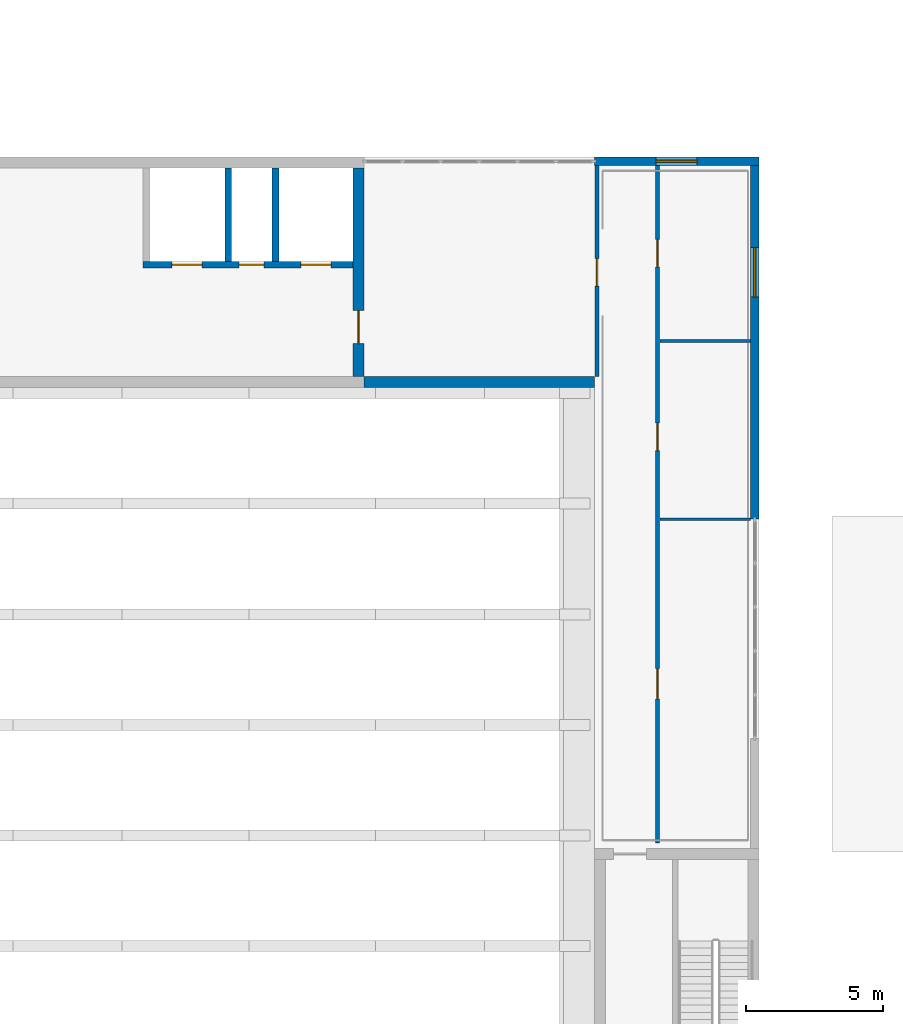
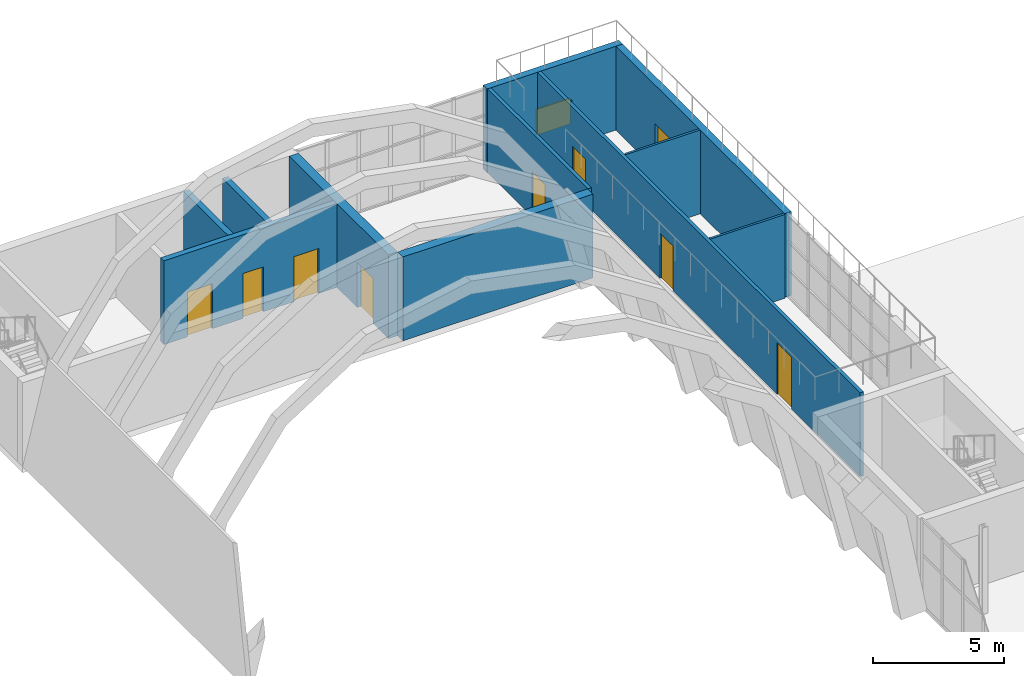
# One storey, part 72 of 96: 11 walls, 8 doors, 2 windows, 10 openings.
"""IFC4 building model written with IfcOpenShell, lengths in metres."""

import ifcopenshell
import ifcopenshell.guid

model = None  # the IFC model being written
_history = None  # IfcOwnerHistory: only IFC2X3 demands one
_inside = {}  # id of a spatial element -> (the spatial element, [elements in it])
_under = {}  # id of a project, library or spatial element -> (it, [spatial elements below it])
_declared = {}  # id of a project -> (the project, [libraries it declares])
_typed = {}  # id of a type object -> (the type object, [elements of that type])
_made_of = {}  # id of a material, layer set ... -> (it, [elements and type objects made of it])


def new_model(schema):
    """Start an empty IFC model of exactly this schema.

    Asked for "IFC4X3", IfcOpenShell would pick the latest addendum, in which some entities
    have other attributes; the version numbers below select the first issue.
    IFC2X3 requires an IfcOwnerHistory on every rooted entity: one is made here for all.
    """
    global model, _history
    if schema == "IFC4X3":
        model = ifcopenshell.file(schema_version=(4, 3, 0, 0))
    else:
        model = ifcopenshell.file(schema=schema)
    _inside.clear()
    _under.clear()
    _declared.clear()
    _typed.clear()
    _made_of.clear()
    _history = None
    if model.schema == "IFC2X3":
        org = make("IfcOrganization", Name="unknown")
        user = make(
            "IfcPersonAndOrganization",
            ThePerson=make("IfcPerson", FamilyName="unknown"),
            TheOrganization=org,
        )
        app = make(
            "IfcApplication",
            ApplicationDeveloper=org,
            Version="unknown",
            ApplicationFullName="unknown",
            ApplicationIdentifier="unknown",
        )
        _history = make(
            "IfcOwnerHistory",
            OwningUser=user,
            OwningApplication=app,
            ChangeAction="ADDED",
            CreationDate=0,
        )
    return model


def make(cls, **values):
    """One entity of the class cls with the attributes given. An attribute that is None is left unset."""
    return model.create_entity(
        cls, **{name: value for name, value in values.items() if value is not None}
    )


def rooted(cls, **values):
    """An entity with a GlobalId (a new one), such as an element, a storey or a relation."""
    return make(cls, GlobalId=ifcopenshell.guid.new(), OwnerHistory=_history, **values)


def si_unit(unit_type, name, prefix=None):
    """IfcSIUnit, for example si_unit("LENGTHUNIT", "METRE", prefix="MILLI")."""
    return make("IfcSIUnit", UnitType=unit_type, Prefix=prefix, Name=name)


def assignment(units):
    """IfcUnitAssignment: the units of a project."""
    return None if units is None else make("IfcUnitAssignment", Units=units)


def point(xyz):
    """IfcCartesianPoint."""
    return None if xyz is None else make("IfcCartesianPoint", Coordinates=xyz)


def direction(xyz):
    """IfcDirection."""
    return None if xyz is None else make("IfcDirection", DirectionRatios=xyz)


def frame(location, z_axis=None, x_axis=None):
    """IfcAxis2Placement3D, a coordinate frame: its origin and axes. An axis left out is left unset."""
    return make(
        "IfcAxis2Placement3D",
        Location=point(location),
        Axis=direction(z_axis),
        RefDirection=direction(x_axis),
    )


def frame_2d(location, x_axis=None):
    """IfcAxis2Placement2D, a coordinate frame in the plane: its origin and x axis."""
    return make(
        "IfcAxis2Placement2D", Location=point(location), RefDirection=direction(x_axis)
    )


def origin():
    """The frame at (0, 0, 0) with its axes left unset."""
    return frame((0.0, 0.0, 0.0))


def place(relative_to, where):
    """IfcLocalPlacement: puts the frame where relative to a parent placement (None: the world)."""
    return make(
        "IfcLocalPlacement", PlacementRelTo=relative_to, RelativePlacement=where
    )


def context(
    kind, dimensions, precision=None, world=None, true_north=None, identifier=None
):
    """IfcGeometricRepresentationContext, for example the 3D "Model" context."""
    return make(
        "IfcGeometricRepresentationContext",
        ContextIdentifier=identifier,
        ContextType=kind,
        CoordinateSpaceDimension=dimensions,
        Precision=precision,
        WorldCoordinateSystem=world,
        TrueNorth=true_north,
    )


def subcontext(parent, identifier, kind, view, scale=None):
    """IfcGeometricRepresentationSubContext, for example "Body" below "Model"."""
    return make(
        "IfcGeometricRepresentationSubContext",
        ContextIdentifier=identifier,
        ContextType=kind,
        ParentContext=parent,
        TargetScale=scale,
        TargetView=view,
    )


def project(units=None, contexts=None):
    """IfcProject with its units and contexts."""
    return rooted(
        "IfcProject",
        Name="project",
        RepresentationContexts=contexts,
        UnitsInContext=assignment(units),
    )


def spatial(cls, under=None, at=None, **own):
    """A site, building, storey or space (cls), placed at a placement, below another one or the project."""
    s = rooted(cls, ObjectPlacement=at, **own)
    if under is not None:
        _under.setdefault(under.id(), (under, []))[1].append(s)
    return s


def profile(cls, at=None, kind="AREA", **sizes):
    """A parametric profile (cls). Its sizes go by their IFC names, for example OverallWidth=200.0."""
    return make(cls, ProfileType=kind, Position=at, **sizes)


def rectangle(**sizes):
    """IfcRectangleProfileDef."""
    return profile("IfcRectangleProfileDef", **sizes)


def extrude(swept, where, along, depth):
    """IfcExtrudedAreaSolid: the profile swept, set in the frame where, extruded along a direction by depth."""
    return make(
        "IfcExtrudedAreaSolid",
        SweptArea=swept,
        Position=where,
        ExtrudedDirection=direction(along),
        Depth=depth,
    )


def shape(context_of_items, identifier, shape_type, items):
    """IfcShapeRepresentation: the items that make up one representation, for example the "Body"."""
    return make(
        "IfcShapeRepresentation",
        ContextOfItems=context_of_items,
        RepresentationIdentifier=identifier,
        RepresentationType=shape_type,
        Items=items,
    )


def material(Name=None, Category=None):
    """IfcMaterial."""
    return make("IfcMaterial", Name=Name, Category=Category)


def layer(
    of_material, thickness, ventilated=None, Name=None, Category=None, Priority=None
):
    """IfcMaterialLayer: one layer of a wall or slab, of a material (None: an air gap)."""
    return make(
        "IfcMaterialLayer",
        Material=of_material,
        LayerThickness=thickness,
        IsVentilated=ventilated,
        Name=Name,
        Category=Category,
        Priority=Priority,
    )


def layer_set(layers, Name=None):
    """IfcMaterialLayerSet."""
    return make("IfcMaterialLayerSet", MaterialLayers=layers, LayerSetName=Name)


def made_of(thing, what):
    """Note that an element or type object is made of a material, layer set ...; save() writes the relation."""
    if what is not None:
        _made_of.setdefault(what.id(), (what, []))[1].append(thing)
    return thing


def type_object(cls, material=None, **own):
    """A type object (cls), such as IfcWallType, which elements share."""
    return made_of(rooted(cls, **own), material)


def element(
    cls,
    number,
    at=None,
    inside=None,
    cuts=None,
    type_object=None,
    material=None,
    context=None,
    identifier="Body",
    shape_type=None,
    held_by="IfcProductDefinitionShape",
    body=None,
    shapes=None,
    **own,
):
    """One element of the class cls, such as IfcWall. Its Tag is "e" and its number.

    at: its placement. inside: the storey or other place that contains it. cuts: it is an
    opening in that element (IfcRelVoidsElement). A single representation is given by context,
    identifier, shape_type and body (its items); several are given by shapes. held_by: the class
    of the entity that holds the representations. save() writes the other relations.
    """
    e = rooted(cls, Tag="e%d" % number, ObjectPlacement=at, **own)
    if body is not None:
        shapes = [shape(context, identifier, shape_type, body)]
    if shapes is not None:
        e.Representation = make(held_by, Representations=shapes)
    if inside is not None:
        _inside.setdefault(inside.id(), (inside, []))[1].append(e)
    if cuts is not None:
        rooted(
            "IfcRelVoidsElement", RelatingBuildingElement=cuts, RelatedOpeningElement=e
        )
    if type_object is not None:
        _typed.setdefault(type_object.id(), (type_object, []))[1].append(e)
    return made_of(e, material)


def fill(opening, filler):
    """IfcRelFillsElement: the door or window that sits in an opening."""
    return rooted(
        "IfcRelFillsElement",
        RelatingOpeningElement=opening,
        RelatedBuildingElement=filler,
    )


def aggregate(whole, parts):
    """IfcRelAggregates: a whole, such as a stair, and the parts it consists of."""
    return rooted("IfcRelAggregates", RelatingObject=whole, RelatedObjects=parts)


def save(model, path):
    """Write the relations noted so far, then the file.

    IfcRelAggregates (storeys below a building ...), IfcRelContainedInSpatialStructure (elements
    in a storey), IfcRelDefinesByType, IfcRelAssociatesMaterial and IfcRelDeclares: one each for
    every whole, place, type object, material and project.
    """
    for whole, parts in _under.values():
        aggregate(whole, parts)
    for where, things in _inside.values():
        rooted(
            "IfcRelContainedInSpatialStructure",
            RelatedElements=things,
            RelatingStructure=where,
        )
    for kind, things in _typed.values():
        rooted("IfcRelDefinesByType", RelatedObjects=things, RelatingType=kind)
    for what, things in _made_of.values():
        rooted("IfcRelAssociatesMaterial", RelatedObjects=things, RelatingMaterial=what)
    for by, libraries in _declared.values():
        rooted("IfcRelDeclares", RelatingContext=by, RelatedDefinitions=libraries)
    model.write(path)


model = new_model("IFC4")

# Units and contexts
model_context = context("Model", 3, precision=1e-05, world=origin(), true_north=direction((0.0, 1.0)))
body_context = subcontext(model_context, "Body", "Model", "MODEL_VIEW")
ifc_project = project(units=[si_unit("LENGTHUNIT", "METRE"), si_unit("AREAUNIT", "SQUARE_METRE"), si_unit("VOLUMEUNIT", "CUBIC_METRE"), si_unit("PLANEANGLEUNIT", "RADIAN"), si_unit("MASSUNIT", "GRAM", prefix="KILO")], contexts=[model_context])

# Site, building, storey
site_placement = place(None, origin())
site = spatial("IfcSite", under=ifc_project, at=site_placement, CompositionType="ELEMENT")
building_placement = place(site_placement, origin())
building = spatial("IfcBuilding", under=site, at=building_placement, Name="Cresset Court Congress Hotel", CompositionType="ELEMENT")
storey_placement = place(building_placement, frame((0.0, 0.0, 6.0)))
storey = spatial("IfcBuildingStorey", under=building, at=storey_placement, Name="L01", CompositionType="ELEMENT", Elevation=6.0)

# Wall, openings, doors
ifc_material_1 = material(Name="Gypsum board on steel studs", Category="steel")
ifc_layer_1 = layer(ifc_material_1, 0.14990234375)
ifc_layer_set_1 = layer_set([ifc_layer_1], Name="Fire partition 150")
wall_type_1 = type_object("IfcWallType", Name="Fire partition 150", PredefinedType="PARTITIONING", material=ifc_layer_set_1)
wall_1_placement = place(storey_placement, frame((153.5, 84.199951171875, 0.0), z_axis=(0.0, 0.0, 1.0), x_axis=(0.0, 1.0, 0.0)))
wall_1 = element("IfcWall", 1, at=wall_1_placement, inside=storey, type_object=wall_type_1, Name="Corridor wall", PredefinedType="PARTITIONING", context=body_context, shape_type="SweptSolid", body=[
    extrude(rectangle(XDim=24.699951171875, YDim=0.14990234375, at=frame_2d((12.35009765625, 0.0))), origin(), (0.0, 0.0, 1.0), 3.919921875),
])
opening_1_placement = place(wall_1_placement, frame((5.25, 0.0, 0.0)))
opening_1 = element("IfcOpeningElement", 2, at=opening_1_placement, cuts=wall_1, Name="Opening DE-01-10", PredefinedType="OPENING", context=body_context, shape_type="SweptSolid", body=[
    extrude(rectangle(XDim=1.10009765625, YDim=2.39990234375, at=frame_2d((0.550048828125, 1.199951171875))), frame((0.0, 0.0849609375, 0.0), z_axis=(0.0, -1.0, 0.0), x_axis=(1.0, 0.0, 0.0)), (0.0, 0.0, 1.0), 0.169921875),
])
opening_2_placement = place(wall_1_placement, frame((14.300048828125, 0.0, 0.0)))
opening_2 = element("IfcOpeningElement", 3, at=opening_2_placement, cuts=wall_1, Name="Opening DE-01-11", PredefinedType="OPENING", context=body_context, shape_type="SweptSolid", body=[
    extrude(rectangle(XDim=1.0, YDim=2.10009765625, at=frame_2d((0.5, 1.050048828125))), frame((0.0, 0.0849609375, 0.0), z_axis=(0.0, -1.0, 0.0), x_axis=(1.0, 0.0, 0.0)), (0.0, 0.0, 1.0), 0.169921875),
])
opening_3_placement = place(wall_1_placement, frame((21.0, 0.0, 0.0)))
opening_3 = element("IfcOpeningElement", 4, at=opening_3_placement, cuts=wall_1, Name="Opening DE-01-12", PredefinedType="OPENING", context=body_context, shape_type="SweptSolid", body=[
    extrude(rectangle(XDim=1.0, YDim=2.10009765625, at=frame_2d((0.5, 1.050048828125))), frame((0.0, 0.0849609375, 0.0), z_axis=(0.0, -1.0, 0.0), x_axis=(1.0, 0.0, 0.0)), (0.0, 0.0, 1.0), 0.169921875),
])
ifc_material_2 = material(Name="Timber door leaf", Category="wood")
door_type_1 = type_object("IfcDoorType", Name="Room door 1000x2100", OperationType="SINGLE_SWING_LEFT", PredefinedType="DOOR", material=ifc_material_2)
door_1_placement = place(opening_2_placement, origin())
door_1 = element("IfcDoor", 5, at=door_1_placement, inside=storey, type_object=door_type_1, Name="Room door DE-01-11", OperationType="SINGLE_SWING_LEFT", OverallHeight=2.10009765625, OverallWidth=1.0, PredefinedType="DOOR", context=body_context, shape_type="SweptSolid", body=[
    extrude(rectangle(XDim=1.0, YDim=2.10009765625, at=frame_2d((0.5, 1.050048828125))), frame((0.0, 0.02490234375, 0.0), z_axis=(0.0, -1.0, 0.0), x_axis=(1.0, 0.0, 0.0)), (0.0, 0.0, 1.0), 0.050048828125),
])
fill(opening_2, door_1)
door_2_placement = place(opening_3_placement, origin())
door_2 = element("IfcDoor", 6, at=door_2_placement, inside=storey, type_object=door_type_1, Name="Room door DE-01-12", OperationType="SINGLE_SWING_LEFT", OverallHeight=2.10009765625, OverallWidth=1.0, PredefinedType="DOOR", context=body_context, shape_type="SweptSolid", body=[
    extrude(rectangle(XDim=1.0, YDim=2.10009765625, at=frame_2d((0.5, 1.050048828125))), frame((0.0, 0.02490234375, 0.0), z_axis=(0.0, -1.0, 0.0), x_axis=(1.0, 0.0, 0.0)), (0.0, 0.0, 1.0), 0.050048828125),
])
fill(opening_3, door_2)
ifc_material_3 = material(Name="Glass door leaf in aluminium frame", Category="aluminium")
door_type_2 = type_object("IfcDoorType", Name="Spa glazed door 1100x2400", OperationType="SINGLE_SWING_LEFT", PredefinedType="DOOR", material=ifc_material_3)
door_3_placement = place(opening_1_placement, origin())
door_3 = element("IfcDoor", 7, at=door_3_placement, inside=storey, type_object=door_type_2, Name="Spa glazed door DE-01-10", OperationType="SINGLE_SWING_LEFT", OverallHeight=2.39990234375, OverallWidth=1.10009765625, PredefinedType="DOOR", context=body_context, shape_type="SweptSolid", body=[
    extrude(rectangle(XDim=1.10009765625, YDim=2.39990234375, at=frame_2d((0.550048828125, 1.199951171875))), frame((0.0, 0.02490234375, 0.0), z_axis=(0.0, -1.0, 0.0), x_axis=(1.0, 0.0, 0.0)), (0.0, 0.0, 1.0), 0.050048828125),
])
fill(opening_1, door_3)

# Wall, opening, door
wall_2_placement = place(storey_placement, frame((151.300048828125, 101.199951171875, 0.0), z_axis=(0.0, 0.0, 1.0), x_axis=(0.0, 1.0, 0.0)))
wall_2 = element("IfcWall", 8, at=wall_2_placement, inside=storey, type_object=wall_type_1, Name="Lounge east wall", PredefinedType="PARTITIONING", context=body_context, shape_type="SweptSolid", body=[
    extrude(rectangle(XDim=7.699951171875, YDim=0.14990234375, at=frame_2d((3.85009765625, 0.0))), origin(), (0.0, 0.0, 1.0), 3.919921875),
])
opening_4_placement = place(wall_2_placement, frame((3.300048828125, 0.0, 0.0)))
opening_4 = element("IfcOpeningElement", 9, at=opening_4_placement, cuts=wall_2, Name="Opening DE-01-09", PredefinedType="OPENING", context=body_context, shape_type="SweptSolid", body=[
    extrude(rectangle(XDim=1.0, YDim=2.10009765625, at=frame_2d((0.5, 1.050048828125))), frame((0.0, 0.0849609375, 0.0), z_axis=(0.0, -1.0, 0.0), x_axis=(1.0, 0.0, 0.0)), (0.0, 0.0, 1.0), 0.169921875),
])
door_4_placement = place(opening_4_placement, origin())
door_4 = element("IfcDoor", 10, at=door_4_placement, inside=storey, type_object=door_type_1, Name="Room door DE-01-09", OperationType="SINGLE_SWING_LEFT", OverallHeight=2.10009765625, OverallWidth=1.0, PredefinedType="DOOR", context=body_context, shape_type="SweptSolid", body=[
    extrude(rectangle(XDim=1.0, YDim=2.10009765625, at=frame_2d((0.5, 1.050048828125))), frame((0.0, 0.02490234375, 0.0), z_axis=(0.0, -1.0, 0.0), x_axis=(1.0, 0.0, 0.0)), (0.0, 0.0, 1.0), 0.050048828125),
])
fill(opening_4, door_4)

# Walls
ifc_material_4 = material(Name="Gypsum board on steel studs", Category="steel")
ifc_layer_2 = layer(ifc_material_4, 0.10009765625)
ifc_layer_set_2 = layer_set([ifc_layer_2], Name="Partition 100")
wall_type_2 = type_object("IfcWallType", Name="Partition 100", PredefinedType="PARTITIONING", material=ifc_layer_set_2)
for number, where, z_axis, x_axis, name in (
    (11, (153.60009765625, 96.0, 0.0), (0.0, 0.0, 1.0), (1.0, 0.0, 0.0), "Partition 96"),
    (12, (153.60009765625, 102.5, 0.0), (0.0, 0.0, 1.0), (1.0, 0.0, 0.0), "Partition 102.5"),
):
    element("IfcWall", number, at=place(storey_placement, frame(where, z_axis=z_axis, x_axis=x_axis)), inside=storey, type_object=wall_type_2, Name=name, PredefinedType="PARTITIONING", context=body_context, shape_type="SweptSolid", body=[
        extrude(rectangle(XDim=3.2998046875, YDim=0.10009765625, at=frame_2d((1.64990234375, 0.0))), origin(), (0.0, 0.0, 1.0), 3.919921875),
    ])

# Wall, opening, door
ifc_material_5 = material(Name="Concrete C50", Category="concrete")
ifc_layer_3 = layer(ifc_material_5, 0.39990234375)
ifc_layer_set_3 = layer_set([ifc_layer_3], Name="RC core wall 400 C50")
wall_type_3 = type_object("IfcWallType", Name="RC core wall 400 C50", PredefinedType="SOLIDWALL", material=ifc_layer_set_3)
wall_3_placement = place(storey_placement, frame((142.60009765625, 101.199951171875, 0.0), z_axis=(0.0, 0.0, 1.0), x_axis=(0.0, 1.0, 0.0)))
wall_3 = element("IfcWall", 13, at=wall_3_placement, inside=storey, type_object=wall_type_3, Name="Core east wall", PredefinedType="SOLIDWALL", context=body_context, shape_type="SweptSolid", body=[
    extrude(rectangle(XDim=7.60009765625, YDim=0.39990234375, at=frame_2d((3.800048828125, 0.0))), origin(), (0.0, 0.0, 1.0), 3.919921875),
])
opening_5_placement = place(wall_3_placement, frame((1.199951171875, 0.0, 0.0)))
opening_5 = element("IfcOpeningElement", 14, at=opening_5_placement, cuts=wall_3, Name="Opening DE-01-08", PredefinedType="OPENING", context=body_context, shape_type="SweptSolid", body=[
    extrude(rectangle(XDim=1.199951171875, YDim=2.10009765625, at=frame_2d((0.60009765625, 1.050048828125))), frame((0.0, 0.2099609375, 0.0), z_axis=(0.0, -1.0, 0.0), x_axis=(1.0, 0.0, 0.0)), (0.0, 0.0, 1.0), 0.419921875),
])
ifc_material_6 = material(Name="Timber door leaf", Category="wood")
door_type_3 = type_object("IfcDoorType", Name="Lift lobby door 1200x2100", OperationType="SINGLE_SWING_LEFT", PredefinedType="DOOR", material=ifc_material_6)
door_5_placement = place(opening_5_placement, origin())
door_5 = element("IfcDoor", 15, at=door_5_placement, inside=storey, type_object=door_type_3, Name="Lift lobby door DE-01-08", OperationType="SINGLE_SWING_LEFT", OverallHeight=2.10009765625, OverallWidth=1.199951171875, PredefinedType="DOOR", context=body_context, shape_type="SweptSolid", body=[
    extrude(rectangle(XDim=1.199951171875, YDim=2.10009765625, at=frame_2d((0.60009765625, 1.050048828125))), frame((0.0, 0.02490234375, 0.0), z_axis=(0.0, -1.0, 0.0), x_axis=(1.0, 0.0, 0.0)), (0.0, 0.0, 1.0), 0.050048828125),
])
fill(opening_5, door_5)

# Wall, opening, window
ifc_material_7 = material(Name="Concrete C40", Category="concrete")
ifc_layer_4 = layer(ifc_material_7, 0.300048828125)
ifc_layer_set_4 = layer_set([ifc_layer_4], Name="RC external wall 300 C40")
wall_type_4 = type_object("IfcWallType", Name="RC external wall 300 C40", PredefinedType="SOLIDWALL", material=ifc_layer_set_4)
wall_4_placement = place(storey_placement, frame((157.050048828125, 96.0, 0.0), z_axis=(0.0, 0.0, 1.0), x_axis=(0.0, 1.0, 0.0)))
wall_4 = element("IfcWall", 16, at=wall_4_placement, inside=storey, type_object=wall_type_4, Name="East external wall L01 north", PredefinedType="SOLIDWALL", context=body_context, shape_type="SweptSolid", body=[
    extrude(rectangle(XDim=12.89990234375, YDim=0.300048828125, at=frame_2d((6.449951171875, 0.0))), origin(), (0.0, 0.0, 1.0), 3.919921875),
])
opening_6_placement = place(wall_4_placement, frame((8.10009765625, 0.0, 0.89990234375)))
opening_6 = element("IfcOpeningElement", 17, at=opening_6_placement, cuts=wall_4, Name="Opening NE-01-01", PredefinedType="OPENING", context=body_context, shape_type="SweptSolid", body=[
    extrude(rectangle(XDim=1.800048828125, YDim=1.199951171875, at=frame_2d((0.89990234375, 0.60009765625))), frame((0.0, 0.159912109375, 0.0), z_axis=(0.0, -1.0, 0.0), x_axis=(1.0, 0.0, 0.0)), (0.0, 0.0, 1.0), 0.320068359375),
])
ifc_material_8 = material(Name="Aluminium frame with insulated glass", Category="aluminium")
window_type_1 = type_object("IfcWindowType", Name="Window 1800x1200", PartitioningType="SINGLE_PANEL", PredefinedType="WINDOW", material=ifc_material_8)
window_1_placement = place(opening_6_placement, origin())
window_1 = element("IfcWindow", 18, at=window_1_placement, inside=storey, type_object=window_type_1, Name="Window NE-01-01", OverallHeight=1.199951171875, OverallWidth=1.800048828125, PartitioningType="SINGLE_PANEL", PredefinedType="WINDOW", context=body_context, shape_type="SweptSolid", body=[
    extrude(rectangle(XDim=1.800048828125, YDim=1.199951171875, at=frame_2d((0.89990234375, 0.60009765625))), frame((0.0, 0.030029296875, 0.0), z_axis=(0.0, -1.0, 0.0), x_axis=(1.0, 0.0, 0.0)), (0.0, 0.0, 1.0), 0.06005859375),
])
fill(opening_6, window_1)

wall_5_placement = place(storey_placement, frame((151.199951171875, 109.050048828125, 0.0), z_axis=(0.0, 0.0, 1.0), x_axis=(1.0, 0.0, 0.0)))
wall_5 = element("IfcWall", 19, at=wall_5_placement, inside=storey, type_object=wall_type_4, Name="East wing north wall L01", PredefinedType="SOLIDWALL", context=body_context, shape_type="SweptSolid", body=[
    extrude(rectangle(XDim=6.0, YDim=0.300048828125, at=frame_2d((3.0, 0.0))), origin(), (0.0, 0.0, 1.0), 3.919921875),
])
opening_7_placement = place(wall_5_placement, frame((2.25, 0.0, 0.89990234375)))
opening_7 = element("IfcOpeningElement", 20, at=opening_7_placement, cuts=wall_5, Name="Opening NE-01-02", PredefinedType="OPENING", context=body_context, shape_type="SweptSolid", body=[
    extrude(rectangle(XDim=1.5, YDim=1.199951171875, at=frame_2d((0.75, 0.60009765625))), frame((0.0, 0.159912109375, 0.0), z_axis=(0.0, -1.0, 0.0), x_axis=(1.0, 0.0, 0.0)), (0.0, 0.0, 1.0), 0.320068359375),
])
ifc_material_9 = material(Name="Aluminium frame with insulated glass", Category="aluminium")
window_type_2 = type_object("IfcWindowType", Name="Window 1500x1200", PartitioningType="SINGLE_PANEL", PredefinedType="WINDOW", material=ifc_material_9)
window_2_placement = place(opening_7_placement, origin())
window_2 = element("IfcWindow", 21, at=window_2_placement, inside=storey, type_object=window_type_2, Name="Window NE-01-02", OverallHeight=1.199951171875, OverallWidth=1.5, PartitioningType="SINGLE_PANEL", PredefinedType="WINDOW", context=body_context, shape_type="SweptSolid", body=[
    extrude(rectangle(XDim=1.5, YDim=1.199951171875, at=frame_2d((0.75, 0.60009765625))), frame((0.0, 0.030029296875, 0.0), z_axis=(0.0, -1.0, 0.0), x_axis=(1.0, 0.0, 0.0)), (0.0, 0.0, 1.0), 0.06005859375),
])
fill(opening_7, window_2)

# Wall
ifc_material_10 = material(Name="Concrete C40", Category="concrete")
ifc_layer_5 = layer(ifc_material_10, 0.39990234375)
ifc_layer_set_5 = layer_set([ifc_layer_5], Name="RC gable wall 400 C40")
wall_type_5 = type_object("IfcWallType", Name="RC gable wall 400 C40", PredefinedType="SOLIDWALL", material=ifc_layer_set_5)
wall_6_placement = place(storey_placement, frame((142.800048828125, 101.0, 0.0), z_axis=(0.0, 0.0, 1.0), x_axis=(1.0, 0.0, 0.0)))
element("IfcWall", 22, at=wall_6_placement, inside=storey, type_object=wall_type_5, Name="Lounge south wall L01", PredefinedType="SOLIDWALL", context=body_context, shape_type="SweptSolid", body=[
    extrude(rectangle(XDim=8.39990234375, YDim=0.39990234375, at=frame_2d((4.199951171875, 0.0))), origin(), (0.0, 0.0, 1.0), 3.919921875),
])

# Wall, openings, doors
ifc_material_11 = material(Name="Concrete C50", Category="concrete")
ifc_layer_6 = layer(ifc_material_11, 0.25)
ifc_layer_set_6 = layer_set([ifc_layer_6], Name="RC lift shaft wall 250 C50")
wall_type_6 = type_object("IfcWallType", Name="RC lift shaft wall 250 C50", PredefinedType="SOLIDWALL", material=ifc_layer_set_6)
wall_7_placement = place(storey_placement, frame((134.75, 105.27490234375, 0.0), z_axis=(0.0, 0.0, 1.0), x_axis=(1.0, 0.0, 0.0)))
wall_7 = element("IfcWall", 23, at=wall_7_placement, inside=storey, type_object=wall_type_6, Name="Lift shaft front wall", PredefinedType="SOLIDWALL", context=body_context, shape_type="SweptSolid", body=[
    extrude(rectangle(XDim=7.64990234375, YDim=0.25, at=frame_2d((3.824951171875, 0.0))), origin(), (0.0, 0.0, 1.0), 3.919921875),
])
opening_8_placement = place(wall_7_placement, frame((1.050048828125, 0.0, 0.0)))
opening_8 = element("IfcOpeningElement", 24, at=opening_8_placement, cuts=wall_7, Name="Opening DE-01-02", PredefinedType="OPENING", context=body_context, shape_type="SweptSolid", body=[
    extrude(rectangle(XDim=1.10009765625, YDim=2.10009765625, at=frame_2d((0.550048828125, 1.050048828125))), frame((0.0, 0.135009765625, 0.0), z_axis=(0.0, -1.0, 0.0), x_axis=(1.0, 0.0, 0.0)), (0.0, 0.0, 1.0), 0.27001953125),
])
opening_9_placement = place(wall_7_placement, frame((5.75, 0.0, 0.0)))
opening_9 = element("IfcOpeningElement", 25, at=opening_9_placement, cuts=wall_7, Name="Opening DE-01-03", PredefinedType="OPENING", context=body_context, shape_type="SweptSolid", body=[
    extrude(rectangle(XDim=1.10009765625, YDim=2.10009765625, at=frame_2d((0.550048828125, 1.050048828125))), frame((0.0, 0.135009765625, 0.0), z_axis=(0.0, -1.0, 0.0), x_axis=(1.0, 0.0, 0.0)), (0.0, 0.0, 1.0), 0.27001953125),
])
opening_10_placement = place(wall_7_placement, frame((3.5, 0.0, 0.0)))
opening_10 = element("IfcOpeningElement", 26, at=opening_10_placement, cuts=wall_7, Name="Opening DE-01-04", PredefinedType="OPENING", context=body_context, shape_type="SweptSolid", body=[
    extrude(rectangle(XDim=0.89990234375, YDim=2.10009765625, at=frame_2d((0.449951171875, 1.050048828125))), frame((0.0, 0.135009765625, 0.0), z_axis=(0.0, -1.0, 0.0), x_axis=(1.0, 0.0, 0.0)), (0.0, 0.0, 1.0), 0.27001953125),
])
ifc_material_12 = material(Name="Stainless steel", Category="steel")
door_type_4 = type_object("IfcDoorType", Name="Lift landing door 1100x2100", OperationType="DOUBLE_DOOR_SLIDING", PredefinedType="DOOR", material=ifc_material_12)
door_6_placement = place(opening_8_placement, origin())
door_6 = element("IfcDoor", 27, at=door_6_placement, inside=storey, type_object=door_type_4, Name="Lift landing door DE-01-02", OperationType="DOUBLE_DOOR_SLIDING", OverallHeight=2.10009765625, OverallWidth=1.10009765625, PredefinedType="DOOR", context=body_context, shape_type="SweptSolid", body=[
    extrude(rectangle(XDim=1.10009765625, YDim=2.10009765625, at=frame_2d((0.550048828125, 1.050048828125))), frame((0.0, 0.02490234375, 0.0), z_axis=(0.0, -1.0, 0.0), x_axis=(1.0, 0.0, 0.0)), (0.0, 0.0, 1.0), 0.050048828125),
])
fill(opening_8, door_6)
door_7_placement = place(opening_9_placement, origin())
door_7 = element("IfcDoor", 28, at=door_7_placement, inside=storey, type_object=door_type_4, Name="Lift landing door DE-01-03", OperationType="DOUBLE_DOOR_SLIDING", OverallHeight=2.10009765625, OverallWidth=1.10009765625, PredefinedType="DOOR", context=body_context, shape_type="SweptSolid", body=[
    extrude(rectangle(XDim=1.10009765625, YDim=2.10009765625, at=frame_2d((0.550048828125, 1.050048828125))), frame((0.0, 0.02490234375, 0.0), z_axis=(0.0, -1.0, 0.0), x_axis=(1.0, 0.0, 0.0)), (0.0, 0.0, 1.0), 0.050048828125),
])
fill(opening_9, door_7)
ifc_material_13 = material(Name="Timber door leaf", Category="wood")
door_type_5 = type_object("IfcDoorType", Name="Riser door 900x2100", OperationType="SINGLE_SWING_LEFT", PredefinedType="DOOR", material=ifc_material_13)
door_8_placement = place(opening_10_placement, origin())
door_8 = element("IfcDoor", 29, at=door_8_placement, inside=storey, type_object=door_type_5, Name="Riser door DE-01-04", OperationType="SINGLE_SWING_LEFT", OverallHeight=2.10009765625, OverallWidth=0.89990234375, PredefinedType="DOOR", context=body_context, shape_type="SweptSolid", body=[
    extrude(rectangle(XDim=0.89990234375, YDim=2.10009765625, at=frame_2d((0.449951171875, 1.050048828125))), frame((0.0, 0.02490234375, 0.0), z_axis=(0.0, -1.0, 0.0), x_axis=(1.0, 0.0, 0.0)), (0.0, 0.0, 1.0), 0.050048828125),
])
fill(opening_10, door_8)

# Walls
for number, where, z_axis, x_axis, name in (
    (30, (137.85009765625, 105.39990234375, 0.0), (0.0, 0.0, 1.0), (0.0, 1.0, 0.0), "Lift shaft wall A"),
    (31, (139.574951171875, 105.39990234375, 0.0), (0.0, 0.0, 1.0), (0.0, 1.0, 0.0), "Lift shaft wall B"),
):
    element("IfcWall", number, at=place(storey_placement, frame(where, z_axis=z_axis, x_axis=x_axis)), inside=storey, type_object=wall_type_6, Name=name, PredefinedType="SOLIDWALL", context=body_context, shape_type="SweptSolid", body=[
        extrude(rectangle(XDim=3.400146484375, YDim=0.25, at=frame_2d((1.7001953125, 0.0))), origin(), (0.0, 0.0, 1.0), 3.919921875),
    ])

save(model, "model.ifc")
